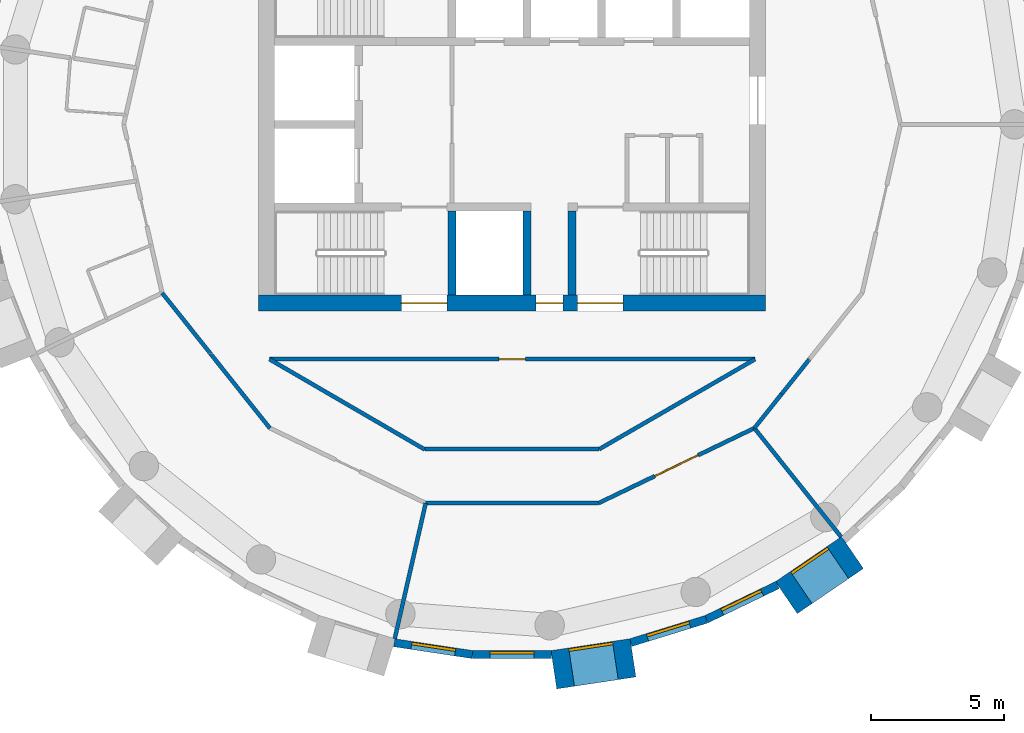
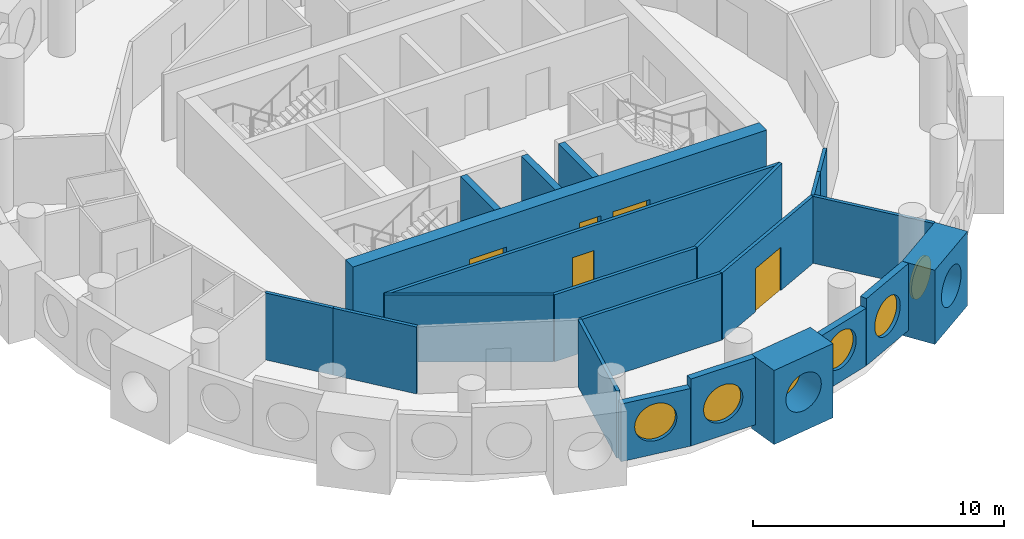
# One storey, part 3 of 12: 22 walls, 6 windows, 5 doors, 11 openings.
"""IFC4 building model written with IfcOpenShell, lengths in metres."""

from ifc_helpers import new_model, si_unit, direction, frame, frame_2d, origin, origin_2d, place, context, subcontext, project, spatial, rectangle, circle, extrude, material, layer, layer_set, type_object, element, fill, save


model = new_model("IFC4")

# Units and contexts
model_context = context("Model", 3, precision=1e-05, world=origin(), true_north=direction((0.0, 1.0)))
body_context = subcontext(model_context, "Body", "Model", "MODEL_VIEW")
ifc_project = project(units=[si_unit("LENGTHUNIT", "METRE"), si_unit("AREAUNIT", "SQUARE_METRE"), si_unit("VOLUMEUNIT", "CUBIC_METRE"), si_unit("PLANEANGLEUNIT", "RADIAN"), si_unit("MASSUNIT", "GRAM", prefix="KILO")], contexts=[model_context])

# Site, building, storey
site_placement = place(None, origin())
site = spatial("IfcSite", under=ifc_project, at=site_placement, CompositionType="ELEMENT")
building_placement = place(site_placement, origin())
building = spatial("IfcBuilding", under=site, at=building_placement, Name="Tracery Tower", CompositionType="ELEMENT")
storey_placement = place(building_placement, frame((0.0, 0.0, 249.0)))
storey = spatial("IfcBuildingStorey", under=building, at=storey_placement, Name="L64", CompositionType="ELEMENT", Elevation=249.0)

# Wall, openings, doors
ifc_material_1 = material(Name="Concrete C40/50", Category="concrete")
ifc_layer_1 = layer(ifc_material_1, 0.60009765625)
ifc_layer_set_1 = layer_set([ifc_layer_1], Name="Core wall 600 C40")
wall_type_1 = type_object("IfcWallType", Name="Core wall 600 C40", PredefinedType="SOLIDWALL", material=ifc_layer_set_1)
wall_1_placement = place(storey_placement, frame((-9.5, -6.699951171875, 0.0), z_axis=(0.0, 0.0, 1.0), x_axis=(1.0, 0.0, 0.0)))
wall_1 = element("IfcWall", 1, at=wall_1_placement, inside=storey, type_object=wall_type_1, Name="L64 outer S", PredefinedType="SOLIDWALL", context=body_context, shape_type="SweptSolid", body=[
    extrude(rectangle(XDim=19.0, YDim=0.60009765625, at=frame_2d((9.5, 0.0))), origin(), (0.0, 0.0, 1.0), 3.60009765625),
])
opening_1_placement = place(wall_1_placement, frame((10.39990234375, 0.0, 0.0)))
opening_1 = element("IfcOpeningElement", 2, at=opening_1_placement, cuts=wall_1, Name="Opening KD16", PredefinedType="OPENING", context=body_context, shape_type="SweptSolid", body=[
    extrude(rectangle(XDim=1.0, YDim=2.10009765625, at=frame_2d((0.5, 1.050048828125))), frame((0.0, 0.300048828125, 0.0), z_axis=(0.0, -1.0, 0.0), x_axis=(1.0, 0.0, 0.0)), (0.0, 0.0, 1.0), 0.60009765625),
])
opening_2_placement = place(wall_1_placement, frame((5.35009765625, 0.0, 0.0)))
opening_2 = element("IfcOpeningElement", 3, at=opening_2_placement, cuts=wall_1, Name="Opening KD3", PredefinedType="OPENING", context=body_context, shape_type="SweptSolid", body=[
    extrude(rectangle(XDim=1.699951171875, YDim=2.10009765625, at=frame_2d((0.85009765625, 1.050048828125))), frame((0.0, 0.300048828125, 0.0), z_axis=(0.0, -1.0, 0.0), x_axis=(1.0, 0.0, 0.0)), (0.0, 0.0, 1.0), 0.60009765625),
])
opening_3_placement = place(wall_1_placement, frame((11.949951171875, 0.0, 0.0)))
opening_3 = element("IfcOpeningElement", 4, at=opening_3_placement, cuts=wall_1, Name="Opening KD3", PredefinedType="OPENING", context=body_context, shape_type="SweptSolid", body=[
    extrude(rectangle(XDim=1.699951171875, YDim=2.10009765625, at=frame_2d((0.85009765625, 1.050048828125))), frame((0.0, 0.300048828125, 0.0), z_axis=(0.0, -1.0, 0.0), x_axis=(1.0, 0.0, 0.0)), (0.0, 0.0, 1.0), 0.60009765625),
])
ifc_material_2 = material(Name="Steel fire door", Category="steel")
door_type_1 = type_object("IfcDoorType", Name="Core exit door 1000", OperationType="NOTDEFINED", PredefinedType="DOOR", material=ifc_material_2)
door_1_placement = place(opening_1_placement, origin())
door_1 = element("IfcDoor", 5, at=door_1_placement, inside=storey, type_object=door_type_1, Name="Core exit door", OperationType="SINGLE_SWING_LEFT", OverallHeight=2.10009765625, OverallWidth=1.0, PredefinedType="DOOR", context=body_context, shape_type="SweptSolid", body=[
    extrude(rectangle(XDim=1.0, YDim=2.10009765625, at=frame_2d((0.5, 1.050048828125))), frame((0.0, 0.02490234375, 0.0), z_axis=(0.0, -1.0, 0.0), x_axis=(1.0, 0.0, 0.0)), (0.0, 0.0, 1.0), 0.050048828125),
])
fill(opening_1, door_1)
ifc_material_3 = material(Name="Steel fire door", Category="steel")
door_type_2 = type_object("IfcDoorType", Name="Core stair door 1700 double", OperationType="NOTDEFINED", PredefinedType="DOOR", material=ifc_material_3)
door_2_placement = place(opening_2_placement, origin())
door_2 = element("IfcDoor", 6, at=door_2_placement, inside=storey, type_object=door_type_2, Name="Stair door ST1 exit", OperationType="DOUBLE_DOOR_SINGLE_SWING", OverallHeight=2.10009765625, OverallWidth=1.699951171875, PredefinedType="DOOR", context=body_context, shape_type="SweptSolid", body=[
    extrude(rectangle(XDim=1.699951171875, YDim=2.10009765625, at=frame_2d((0.85009765625, 1.050048828125))), frame((0.0, 0.02490234375, 0.0), z_axis=(0.0, -1.0, 0.0), x_axis=(1.0, 0.0, 0.0)), (0.0, 0.0, 1.0), 0.050048828125),
])
fill(opening_2, door_2)
door_3_placement = place(opening_3_placement, origin())
door_3 = element("IfcDoor", 7, at=door_3_placement, inside=storey, type_object=door_type_2, Name="Stair door ST2 exit", OperationType="DOUBLE_DOOR_SINGLE_SWING", OverallHeight=2.10009765625, OverallWidth=1.699951171875, PredefinedType="DOOR", context=body_context, shape_type="SweptSolid", body=[
    extrude(rectangle(XDim=1.699951171875, YDim=2.10009765625, at=frame_2d((0.85009765625, 1.050048828125))), frame((0.0, 0.02490234375, 0.0), z_axis=(0.0, -1.0, 0.0), x_axis=(1.0, 0.0, 0.0)), (0.0, 0.0, 1.0), 0.050048828125),
])
fill(opening_3, door_3)

# Wall, opening, window
ifc_material_4 = material(Name="Precast concrete C50/60", Category="concrete")
ifc_layer_2 = layer(ifc_material_4, 1.449951171875)
ifc_layer_set_2 = layer_set([ifc_layer_2], Name="Deep-set bay unit 3000 x 3600, slab edge 350")
wall_type_2 = type_object("IfcWallType", Name="Deep-set bay unit 3000 x 3600, slab edge 350", PredefinedType="ELEMENTEDWALL", material=ifc_layer_set_2)
wall_2_placement = place(storey_placement, frame((1.563232421875, -20.436279296875, -0.35009765625), z_axis=(0.0, 0.0, 1.0), x_axis=(0.988836445254, 0.149004981587, 0.0)))
wall_2 = element("IfcWall", 8, at=wall_2_placement, inside=storey, type_object=wall_type_2, Name="Deep-set bay unit 33 at L64", PredefinedType="ELEMENTEDWALL", context=body_context, shape_type="SweptSolid", body=[
    extrude(rectangle(XDim=3.0, YDim=1.449951171875, at=frame_2d((1.5, 0.0))), origin(), (0.0, 0.0, 1.0), 3.60009765625),
])
opening_4_placement = place(wall_2_placement, frame((1.5, 0.0, 1.89990234375)))
opening_4 = element("IfcOpeningElement", 9, at=opening_4_placement, cuts=wall_2, Name="Opening WN1", PredefinedType="OPENING", context=body_context, shape_type="SweptSolid", body=[
    extrude(circle(Radius=0.9000244140625, at=origin_2d()), frame((0.0, 0.73486328125, 0.0), z_axis=(0.0, -1.0, 0.0), x_axis=(1.0, 0.0, 0.0)), (0.0, 0.0, 1.0), 1.469970703125),
])
ifc_material_5 = material(Name="Aluminium frame with tinted double glazing", Category="aluminium")
window_type = type_object("IfcWindowType", Name="Round window 1800", PartitioningType="SINGLE_PANEL", PredefinedType="WINDOW", material=ifc_material_5)
window_1_placement = place(opening_4_placement, origin())
window_1 = element("IfcWindow", 10, at=window_1_placement, inside=storey, type_object=window_type, Name="Round window 33 at L64", OverallHeight=1.800048828125, OverallWidth=1.800048828125, PartitioningType="SINGLE_PANEL", PredefinedType="WINDOW", context=body_context, shape_type="SweptSolid", body=[
    extrude(circle(Radius=0.9000244140625, at=origin_2d()), frame((0.0, 0.69482421875, 0.0), z_axis=(0.0, -1.0, 0.0), x_axis=(1.0, 0.0, 0.0)), (0.0, 0.0, 1.0), 0.10009765625),
])
fill(opening_4, window_1)

wall_3_placement = place(storey_placement, frame((10.275390625, -17.734130859375, -0.35009765625), z_axis=(0.0, 0.0, 1.0), x_axis=(0.826246281157, 0.563309047392, 0.0)))
wall_3 = element("IfcWall", 11, at=wall_3_placement, inside=storey, type_object=wall_type_2, Name="Deep-set bay unit 36 at L64", PredefinedType="ELEMENTEDWALL", context=body_context, shape_type="SweptSolid", body=[
    extrude(rectangle(XDim=3.0, YDim=1.449951171875, at=frame_2d((1.5, 0.0))), origin(), (0.0, 0.0, 1.0), 3.60009765625),
])
opening_5_placement = place(wall_3_placement, frame((1.5, 0.0, 1.89990234375)))
opening_5 = element("IfcOpeningElement", 12, at=opening_5_placement, cuts=wall_3, Name="Opening WN1", PredefinedType="OPENING", context=body_context, shape_type="SweptSolid", body=[
    extrude(circle(Radius=0.9000244140625, at=origin_2d()), frame((0.0, 0.73486328125, 0.0), z_axis=(0.0, -1.0, 0.0), x_axis=(1.0, 0.0, 0.0)), (0.0, 0.0, 1.0), 1.469970703125),
])
window_2_placement = place(opening_5_placement, origin())
window_2 = element("IfcWindow", 13, at=window_2_placement, inside=storey, type_object=window_type, Name="Round window 36 at L64", OverallHeight=1.800048828125, OverallWidth=1.800048828125, PartitioningType="SINGLE_PANEL", PredefinedType="WINDOW", context=body_context, shape_type="SweptSolid", body=[
    extrude(circle(Radius=0.9000244140625, at=origin_2d()), frame((0.0, 0.69482421875, 0.0), z_axis=(0.0, -1.0, 0.0), x_axis=(1.0, 0.0, 0.0)), (0.0, 0.0, 1.0), 0.10009765625),
])
fill(opening_5, window_2)

ifc_material_6 = material(Name="Precast concrete C50/60", Category="concrete")
ifc_layer_3 = layer(ifc_material_6, 0.300048828125)
ifc_layer_set_3 = layer_set([ifc_layer_3], Name="Facade panel 3000 x 2800")
wall_type_3 = type_object("IfcWallType", Name="Facade panel 3000 x 2800", PredefinedType="SOLIDWALL", material=ifc_layer_set_3)
wall_4_placement = place(storey_placement, frame((-4.41796875, -19.424560546875, 0.0), z_axis=(0.0, 0.0, 1.0), x_axis=(0.988835775663, -0.149009425104, 0.0)))
wall_4 = element("IfcWall", 14, at=wall_4_placement, inside=storey, type_object=wall_type_3, Name="Facade panel 31 at L64", PredefinedType="SOLIDWALL", context=body_context, shape_type="SweptSolid", body=[
    extrude(rectangle(XDim=2.962158203125, YDim=0.300048828125, at=frame_2d((1.48095703125, 0.0))), origin(), (0.0, 0.0, 1.0), 2.800048828125),
])
opening_6_placement = place(wall_4_placement, frame((1.48095703125, 0.0, 1.5498046875)))
opening_6 = element("IfcOpeningElement", 15, at=opening_6_placement, cuts=wall_4, Name="Opening WN1", PredefinedType="OPENING", context=body_context, shape_type="SweptSolid", body=[
    extrude(circle(Radius=0.9000244140625, at=origin_2d()), frame((0.0, 0.159912109375, 0.0), z_axis=(0.0, -1.0, 0.0), x_axis=(1.0, 0.0, 0.0)), (0.0, 0.0, 1.0), 0.320068359375),
])
window_3_placement = place(opening_6_placement, origin())
window_3 = element("IfcWindow", 16, at=window_3_placement, inside=storey, type_object=window_type, Name="Round window 31 at L64", OverallHeight=1.800048828125, OverallWidth=1.800048828125, PartitioningType="SINGLE_PANEL", PredefinedType="WINDOW", context=body_context, shape_type="SweptSolid", body=[
    extrude(circle(Radius=0.9000244140625, at=origin_2d()), frame((0.0, 0.1201171875, 0.0), z_axis=(0.0, -1.0, 0.0), x_axis=(1.0, 0.0, 0.0)), (0.0, 0.0, 1.0), 0.10009765625),
])
fill(opening_6, window_3)

wall_5_placement = place(storey_placement, frame((4.447509765625, -19.417724609375, 0.0), z_axis=(0.0, 0.0, 1.0), x_axis=(0.95558635705, 0.294711238707, 0.0)))
wall_5 = element("IfcWall", 17, at=wall_5_placement, inside=storey, type_object=wall_type_3, Name="Facade panel 34 at L64", PredefinedType="SOLIDWALL", context=body_context, shape_type="SweptSolid", body=[
    extrude(rectangle(XDim=2.96240234375, YDim=0.300048828125, at=frame_2d((1.481201171875, 0.0))), origin(), (0.0, 0.0, 1.0), 2.800048828125),
])
opening_7_placement = place(wall_5_placement, frame((1.48095703125, 0.0, 1.5498046875)))
opening_7 = element("IfcOpeningElement", 18, at=opening_7_placement, cuts=wall_5, Name="Opening WN1", PredefinedType="OPENING", context=body_context, shape_type="SweptSolid", body=[
    extrude(circle(Radius=0.9000244140625, at=origin_2d()), frame((0.0, 0.159912109375, 0.0), z_axis=(0.0, -1.0, 0.0), x_axis=(1.0, 0.0, 0.0)), (0.0, 0.0, 1.0), 0.320068359375),
])
window_4_placement = place(opening_7_placement, origin())
window_4 = element("IfcWindow", 19, at=window_4_placement, inside=storey, type_object=window_type, Name="Round window 34 at L64", OverallHeight=1.800048828125, OverallWidth=1.800048828125, PartitioningType="SINGLE_PANEL", PredefinedType="WINDOW", context=body_context, shape_type="SweptSolid", body=[
    extrude(circle(Radius=0.9000244140625, at=origin_2d()), frame((0.0, 0.1201171875, 0.0), z_axis=(0.0, -1.0, 0.0), x_axis=(1.0, 0.0, 0.0)), (0.0, 0.0, 1.0), 0.10009765625),
])
fill(opening_7, window_4)

ifc_material_7 = material(Name="Precast concrete C50/60", Category="concrete")
ifc_layer_4 = layer(ifc_material_7, 0.300048828125)
ifc_layer_set_4 = layer_set([ifc_layer_4], Name="Facade panel 3000 x 3250")
wall_type_4 = type_object("IfcWallType", Name="Facade panel 3000 x 3250", PredefinedType="SOLIDWALL", material=ifc_layer_set_4)
wall_6_placement = place(storey_placement, frame((-1.48876953125, -19.865966796875, 0.0), z_axis=(0.0, 0.0, 1.0), x_axis=(1.0, 0.0, 0.0)))
wall_6 = element("IfcWall", 20, at=wall_6_placement, inside=storey, type_object=wall_type_4, Name="Facade panel 32 at L64", PredefinedType="SOLIDWALL", context=body_context, shape_type="SweptSolid", body=[
    extrude(rectangle(XDim=2.962158203125, YDim=0.300048828125, at=frame_2d((1.48095703125, 0.0))), origin(), (0.0, 0.0, 1.0), 3.25),
])
opening_8_placement = place(wall_6_placement, frame((1.48095703125, 0.0, 1.5498046875)))
opening_8 = element("IfcOpeningElement", 21, at=opening_8_placement, cuts=wall_6, Name="Opening WN1", PredefinedType="OPENING", context=body_context, shape_type="SweptSolid", body=[
    extrude(circle(Radius=0.9000244140625, at=origin_2d()), frame((0.0, 0.159912109375, 0.0), z_axis=(0.0, -1.0, 0.0), x_axis=(1.0, 0.0, 0.0)), (0.0, 0.0, 1.0), 0.320068359375),
])
window_5_placement = place(opening_8_placement, origin())
window_5 = element("IfcWindow", 22, at=window_5_placement, inside=storey, type_object=window_type, Name="Round window 32 at L64", OverallHeight=1.800048828125, OverallWidth=1.800048828125, PartitioningType="SINGLE_PANEL", PredefinedType="WINDOW", context=body_context, shape_type="SweptSolid", body=[
    extrude(circle(Radius=0.9000244140625, at=origin_2d()), frame((0.0, 0.1201171875, 0.0), z_axis=(0.0, -1.0, 0.0), x_axis=(1.0, 0.0, 0.0)), (0.0, 0.0, 1.0), 0.10009765625),
])
fill(opening_8, window_5)

wall_7_placement = place(storey_placement, frame((7.2783203125, -18.544677734375, 0.0), z_axis=(0.0, 0.0, 1.0), x_axis=(0.900939615635, 0.433944476838, 0.0)))
wall_7 = element("IfcWall", 23, at=wall_7_placement, inside=storey, type_object=wall_type_4, Name="Facade panel 35 at L64", PredefinedType="SOLIDWALL", context=body_context, shape_type="SweptSolid", body=[
    extrude(rectangle(XDim=2.962158203125, YDim=0.300048828125, at=frame_2d((1.48095703125, 0.0))), origin(), (0.0, 0.0, 1.0), 3.25),
])
opening_9_placement = place(wall_7_placement, frame((1.48095703125, 0.0, 1.5498046875)))
opening_9 = element("IfcOpeningElement", 24, at=opening_9_placement, cuts=wall_7, Name="Opening WN1", PredefinedType="OPENING", context=body_context, shape_type="SweptSolid", body=[
    extrude(circle(Radius=0.9000244140625, at=origin_2d()), frame((0.0, 0.159912109375, 0.0), z_axis=(0.0, -1.0, 0.0), x_axis=(1.0, 0.0, 0.0)), (0.0, 0.0, 1.0), 0.320068359375),
])
window_6_placement = place(opening_9_placement, origin())
window_6 = element("IfcWindow", 25, at=window_6_placement, inside=storey, type_object=window_type, Name="Round window 35 at L64", OverallHeight=1.800048828125, OverallWidth=1.800048828125, PartitioningType="SINGLE_PANEL", PredefinedType="WINDOW", context=body_context, shape_type="SweptSolid", body=[
    extrude(circle(Radius=0.9000244140625, at=origin_2d()), frame((0.0, 0.1201171875, 0.0), z_axis=(0.0, -1.0, 0.0), x_axis=(1.0, 0.0, 0.0)), (0.0, 0.0, 1.0), 0.10009765625),
])
fill(opening_9, window_6)

# Walls
ifc_material_8 = material(Name="Plasterboard on steel studs", Category="steel")
ifc_layer_5 = layer(ifc_material_8, 0.14990234375)
ifc_layer_set_5 = layer_set([ifc_layer_5], Name="Partition 150 acoustic unit wall")
wall_type_5 = type_object("IfcWallType", Name="Partition 150 acoustic unit wall", PredefinedType="PARTITIONING", material=ifc_layer_set_5)
wall_8_placement = place(storey_placement, frame((-4.39990234375, -19.27587890625, 0.0), z_axis=(0.0, 0.0, 1.0), x_axis=(0.222612505682, 0.974907007008, 0.0)))
element("IfcWall", 26, at=wall_8_placement, inside=storey, type_object=wall_type_5, Name="Unit wall RC2-066", PredefinedType="PARTITIONING", context=body_context, shape_type="SweptSolid", body=[
    extrude(rectangle(XDim=5.21484375, YDim=0.14990234375, at=frame_2d((2.607421875, 0.0))), origin(), (0.0, 0.0, 1.0), 3.25),
])
wall_9_placement = place(storey_placement, frame((9.075927734375, -11.381103515625, 0.0), z_axis=(0.0, 0.0, 1.0), x_axis=(0.623460949534, -0.781854490558, 0.0)))
element("IfcWall", 27, at=wall_9_placement, inside=storey, type_object=wall_type_5, Name="Unit wall RC2-067", PredefinedType="PARTITIONING", context=body_context, shape_type="SweptSolid", body=[
    extrude(rectangle(XDim=5.21435546875, YDim=0.14990234375, at=frame_2d((2.607177734375, 0.0))), origin(), (0.0, 0.0, 1.0), 3.25),
])

# Wall, opening, door
ifc_material_9 = material(Name="Plasterboard on steel studs", Category="steel")
ifc_layer_6 = layer(ifc_material_9, 0.14990234375)
ifc_layer_set_6 = layer_set([ifc_layer_6], Name="Partition 150 corridor wall")
wall_type_6 = type_object("IfcWallType", Name="Partition 150 corridor wall", PredefinedType="PARTITIONING", material=ifc_layer_set_6)
wall_10_placement = place(storey_placement, frame((-9.092041015625, -8.800048828125, 0.0), z_axis=(0.0, 0.0, 1.0), x_axis=(1.0, 0.0, 0.0)))
wall_10 = element("IfcWall", 28, at=wall_10_placement, inside=storey, type_object=wall_type_6, Name="Corridor wall RC2-012", PredefinedType="PARTITIONING", context=body_context, shape_type="SweptSolid", body=[
    extrude(rectangle(XDim=18.192626953125, YDim=0.14990234375, at=frame_2d((9.09619140625, 0.0))), origin(), (0.0, 0.0, 1.0), 3.25),
])
opening_10_placement = place(wall_10_placement, frame((8.592041015625, 0.0, 0.0)))
opening_10 = element("IfcOpeningElement", 29, at=opening_10_placement, cuts=wall_10, Name="Opening RC2-03", PredefinedType="OPENING", context=body_context, shape_type="SweptSolid", body=[
    extrude(rectangle(XDim=1.0, YDim=2.0400390625, at=frame_2d((0.5, 1.02001953125))), frame((0.0, 0.074951171875, 0.0), z_axis=(0.0, -1.0, 0.0), x_axis=(1.0, 0.0, 0.0)), (0.0, 0.0, 1.0), 0.14990234375),
])
ifc_material_10 = material(Name="Timber door leaf", Category="wood")
door_type_3 = type_object("IfcDoorType", Name="Door communal room 1000", OperationType="NOTDEFINED", PredefinedType="DOOR", material=ifc_material_10)
door_4_placement = place(opening_10_placement, origin())
door_4 = element("IfcDoor", 30, at=door_4_placement, inside=storey, type_object=door_type_3, Name="Communal room door RC2-03", OperationType="SINGLE_SWING_RIGHT", OverallHeight=2.0400390625, OverallWidth=1.0, PredefinedType="DOOR", context=body_context, shape_type="SweptSolid", body=[
    extrude(rectangle(XDim=1.0, YDim=2.0400390625, at=frame_2d((0.5, 1.02001953125))), frame((0.0, 0.02490234375, 0.0), z_axis=(0.0, -1.0, 0.0), x_axis=(1.0, 0.0, 0.0)), (0.0, 0.0, 1.0), 0.050048828125),
])
fill(opening_10, door_4)

# Walls
wall_11_placement = place(storey_placement, frame((-9.092041015625, -8.800048828125, 0.0), z_axis=(0.0, 0.0, 1.0), x_axis=(0.864470922103, -0.502682827277, 0.0)))
element("IfcWall", 31, at=wall_11_placement, inside=storey, type_object=wall_type_6, Name="Corridor wall RC2-013", PredefinedType="PARTITIONING", context=body_context, shape_type="SweptSolid", body=[
    extrude(rectangle(XDim=6.7353515625, YDim=0.14990234375, at=frame_2d((3.36767578125, 0.0))), origin(), (0.0, 0.0, 1.0), 3.25),
])
wall_12_placement = place(storey_placement, frame((-11.300048828125, -8.59619140625, 0.0), z_axis=(0.0, 0.0, 1.0), x_axis=(0.623165080354, -0.782090328944, 0.0)))
element("IfcWall", 32, at=wall_12_placement, inside=storey, type_object=wall_type_6, Name="Corridor wall RC2-014", PredefinedType="PARTITIONING", context=body_context, shape_type="SweptSolid", body=[
    extrude(rectangle(XDim=3.56396484375, YDim=0.14990234375, at=frame_2d((1.781982421875, 0.0))), origin(), (0.0, 0.0, 1.0), 3.25),
])
wall_13_placement = place(storey_placement, frame((10.10107421875, -10.10107421875, 0.0), z_axis=(0.0, 0.0, 1.0), x_axis=(0.623098344652, 0.782143498913, 0.0)))
element("IfcWall", 33, at=wall_13_placement, inside=storey, type_object=wall_type_6, Name="Corridor wall RC2-019", PredefinedType="PARTITIONING", context=body_context, shape_type="SweptSolid", body=[
    extrude(rectangle(XDim=1.660888671875, YDim=0.14990234375, at=frame_2d((0.83056640625, 0.0))), origin(), (0.0, 0.0, 1.0), 3.25),
])
wall_14_placement = place(storey_placement, frame((-13.114990234375, -6.31591796875, 0.0), z_axis=(0.0, 0.0, 1.0), x_axis=(0.623446514299, -0.781866001185, 0.0)))
element("IfcWall", 34, at=wall_14_placement, inside=storey, type_object=wall_type_6, Name="Corridor wall RC2-036", PredefinedType="PARTITIONING", context=body_context, shape_type="SweptSolid", body=[
    extrude(rectangle(XDim=2.9111328125, YDim=0.14990234375, at=frame_2d((1.45556640625, 0.0))), origin(), (0.0, 0.0, 1.0), 3.25),
])
wall_15_placement = place(storey_placement, frame((-3.260986328125, -12.1708984375, 0.0), z_axis=(0.0, 0.0, 1.0), x_axis=(1.0, 0.0, 0.0)))
element("IfcWall", 35, at=wall_15_placement, inside=storey, type_object=wall_type_6, Name="Corridor wall RC2-037", PredefinedType="PARTITIONING", context=body_context, shape_type="SweptSolid", body=[
    extrude(rectangle(XDim=6.52197265625, YDim=0.14990234375, at=frame_2d((3.260986328125, 0.0))), origin(), (0.0, 0.0, 1.0), 3.25),
])
wall_16_placement = place(storey_placement, frame((3.260986328125, -12.1708984375, 0.0), z_axis=(0.0, 0.0, 1.0), x_axis=(0.866066809554, 0.499928276245, 0.0)))
element("IfcWall", 36, at=wall_16_placement, inside=storey, type_object=wall_type_6, Name="Corridor wall RC2-038", PredefinedType="PARTITIONING", context=body_context, shape_type="SweptSolid", body=[
    extrude(rectangle(XDim=6.74267578125, YDim=0.14990234375, at=frame_2d((3.371337890625, 0.0))), origin(), (0.0, 0.0, 1.0), 3.25),
])

# Wall, opening, door
wall_17_placement = place(storey_placement, frame((3.239013671875, -14.19189453125, 0.0), z_axis=(0.0, 0.0, 1.0), x_axis=(0.900976027191, 0.433868872388, 0.0)))
wall_17 = element("IfcWall", 37, at=wall_17_placement, inside=storey, type_object=wall_type_6, Name="Corridor wall RC2-040", PredefinedType="PARTITIONING", context=body_context, shape_type="SweptSolid", body=[
    extrude(rectangle(XDim=6.478515625, YDim=0.14990234375, at=frame_2d((3.2392578125, 0.0))), origin(), (0.0, 0.0, 1.0), 3.25),
])
opening_11_placement = place(wall_17_placement, frame((2.339599609375, 0.0, 0.0)))
opening_11 = element("IfcOpeningElement", 38, at=opening_11_placement, cuts=wall_17, Name="Opening RC2-19", PredefinedType="OPENING", context=body_context, shape_type="SweptSolid", body=[
    extrude(rectangle(XDim=1.800048828125, YDim=2.10009765625, at=frame_2d((0.89990234375, 1.050048828125))), frame((0.0, 0.074951171875, 0.0), z_axis=(0.0, -1.0, 0.0), x_axis=(1.0, 0.0, 0.0)), (0.0, 0.0, 1.0), 0.14990234375),
])
ifc_material_11 = material(Name="Timber door leaf", Category="wood")
door_type_4 = type_object("IfcDoorType", Name="Door double lounge 1800", OperationType="NOTDEFINED", PredefinedType="DOOR", material=ifc_material_11)
door_5_placement = place(opening_11_placement, origin())
door_5 = element("IfcDoor", 39, at=door_5_placement, inside=storey, type_object=door_type_4, Name="Double lounge door RC2-19", OperationType="DOUBLE_DOOR_SINGLE_SWING", OverallHeight=2.10009765625, OverallWidth=1.800048828125, PredefinedType="DOOR", context=body_context, shape_type="SweptSolid", body=[
    extrude(rectangle(XDim=1.800048828125, YDim=2.10009765625, at=frame_2d((0.89990234375, 1.050048828125))), frame((0.0, 0.02490234375, 0.0), z_axis=(0.0, -1.0, 0.0), x_axis=(1.0, 0.0, 0.0)), (0.0, 0.0, 1.0), 0.050048828125),
])
fill(opening_11, door_5)

# Walls
wall_18_placement = place(storey_placement, frame((-3.239013671875, -14.19189453125, 0.0), z_axis=(0.0, 0.0, 1.0), x_axis=(1.0, 0.0, 0.0)))
element("IfcWall", 40, at=wall_18_placement, inside=storey, type_object=wall_type_6, Name="Corridor wall RC2-041", PredefinedType="PARTITIONING", context=body_context, shape_type="SweptSolid", body=[
    extrude(rectangle(XDim=6.47802734375, YDim=0.14990234375, at=frame_2d((3.239013671875, 0.0))), origin(), (0.0, 0.0, 1.0), 3.25),
])
wall_19_placement = place(storey_placement, frame((9.075927734375, -11.381103515625, 0.0), z_axis=(0.0, 0.0, 1.0), x_axis=(0.623805208652, 0.781579849829, 0.0)))
element("IfcWall", 41, at=wall_19_placement, inside=storey, type_object=wall_type_6, Name="Corridor wall RC2-042", PredefinedType="PARTITIONING", context=body_context, shape_type="SweptSolid", body=[
    extrude(rectangle(XDim=1.64013671875, YDim=0.14990234375, at=frame_2d((0.820068359375, 0.0))), origin(), (0.0, 0.0, 1.0), 3.25),
])
ifc_material_12 = material(Name="Concrete C40/50", Category="concrete")
ifc_layer_7 = layer(ifc_material_12, 0.300048828125)
ifc_layer_set_7 = layer_set([ifc_layer_7], Name="Shaft wall 300 C40")
wall_type_7 = type_object("IfcWallType", Name="Shaft wall 300 C40", PredefinedType="SOLIDWALL", material=ifc_layer_set_7)
wall_20_placement = place(storey_placement, frame((0.550048828125, -6.39990234375, 0.0), z_axis=(0.0, 0.0, 1.0), x_axis=(0.0, 1.0, 0.0)))
element("IfcWall", 42, at=wall_20_placement, inside=storey, type_object=wall_type_7, Name="L64 OB2 E", PredefinedType="SOLIDWALL", context=body_context, shape_type="SweptSolid", body=[
    extrude(rectangle(XDim=3.14990234375, YDim=0.300048828125, at=frame_2d((1.574951171875, 0.0))), origin(), (0.0, 0.0, 1.0), 3.25),
])
ifc_material_13 = material(Name="Concrete C40/50", Category="concrete")
ifc_layer_8 = layer(ifc_material_13, 0.300048828125)
ifc_layer_set_8 = layer_set([ifc_layer_8], Name="Stair wall 300 C40")
wall_type_8 = type_object("IfcWallType", Name="Stair wall 300 C40", PredefinedType="SOLIDWALL", material=ifc_layer_set_8)
for number, where, z_axis, x_axis, name in (
    (43, (-2.25, -6.39990234375, 0.0), (0.0, 0.0, 1.0), (0.0, 1.0, 0.0), "L64 ST1 E"),
    (44, (2.25, -6.39990234375, 0.0), (0.0, 0.0, 1.0), (0.0, 1.0, 0.0), "L64 ST2 W"),
):
    element("IfcWall", number, at=place(storey_placement, frame(where, z_axis=z_axis, x_axis=x_axis)), inside=storey, type_object=wall_type_8, Name=name, PredefinedType="SOLIDWALL", context=body_context, shape_type="SweptSolid", body=[
        extrude(rectangle(XDim=3.14990234375, YDim=0.300048828125, at=frame_2d((1.574951171875, 0.0))), origin(), (0.0, 0.0, 1.0), 3.25),
    ])

save(model, "model.ifc")
